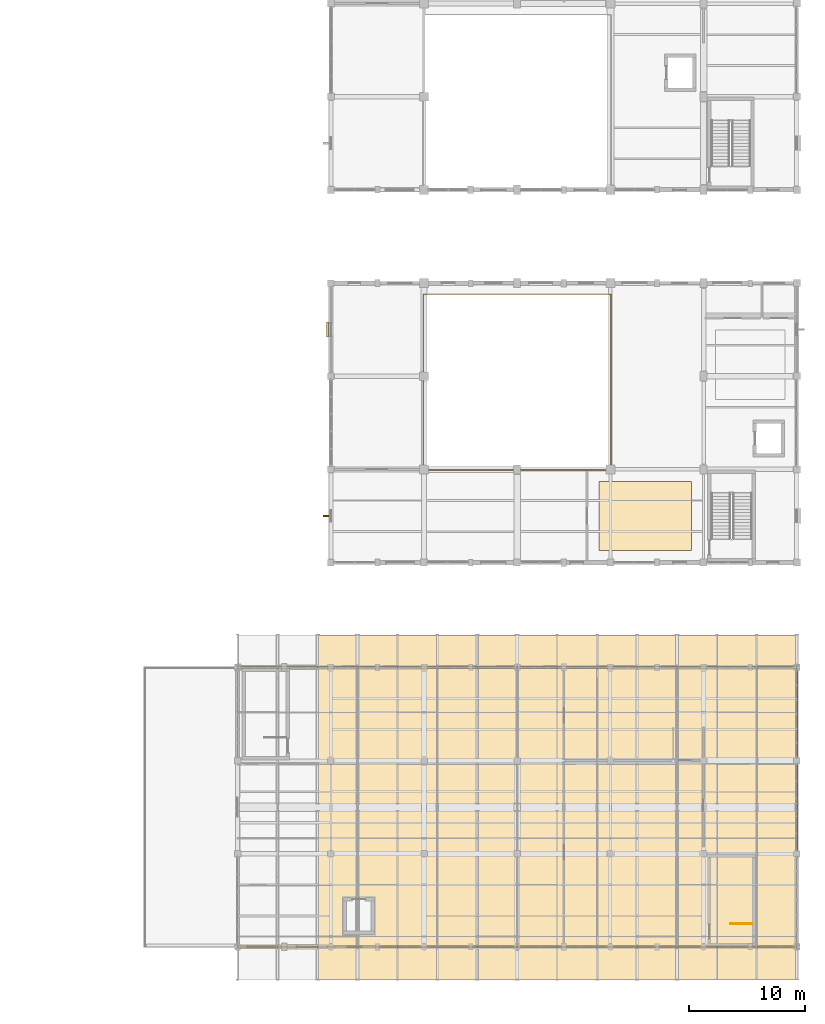
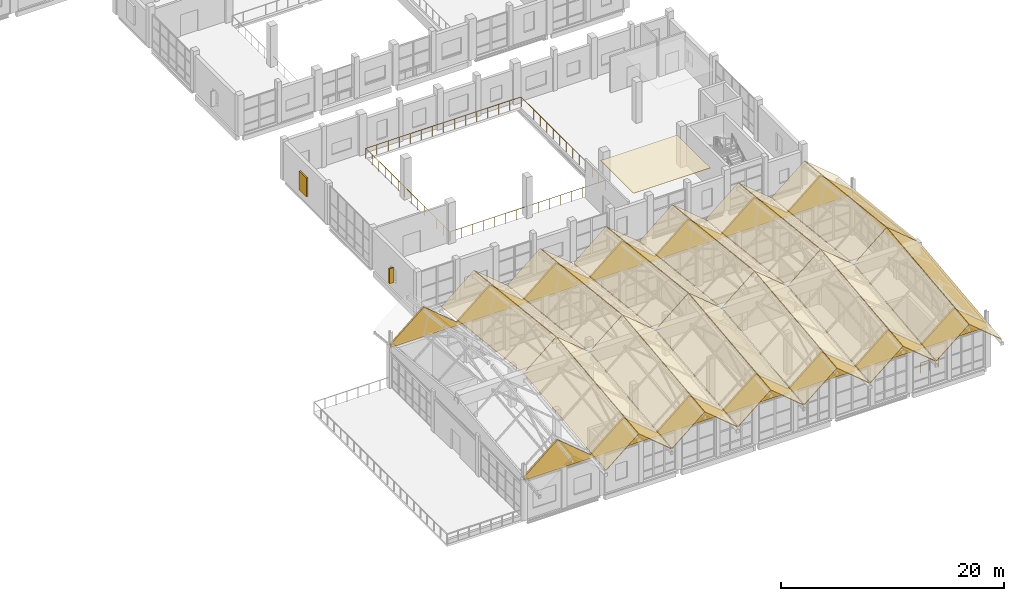
# One storey, part 178 of 183: 28 coverings, 2 railings, 2 shading devices.
"""IFC4 building model written with IfcOpenShell, lengths in metres."""

from ifc_helpers import new_model, si_unit, direction, frame, origin, origin_2d, place, context, subcontext, project, spatial, polyline, rectangle, circle, outline, extrude, material, layer, layer_set, type_object, element, save


model = new_model("IFC4")

# Units and contexts
model_context = context("Model", 3, precision=1e-05, world=origin(), true_north=direction((0.0, 1.0)))
body_context = subcontext(model_context, "Body", "Model", "MODEL_VIEW")
ifc_project = project(units=[si_unit("LENGTHUNIT", "METRE"), si_unit("AREAUNIT", "SQUARE_METRE"), si_unit("VOLUMEUNIT", "CUBIC_METRE"), si_unit("PLANEANGLEUNIT", "RADIAN"), si_unit("MASSUNIT", "GRAM", prefix="KILO")], contexts=[model_context])

# Site, building, storey
site_placement = place(None, origin())
site = spatial("IfcSite", under=ifc_project, at=site_placement, CompositionType="ELEMENT")
building_placement = place(site_placement, origin())
building = spatial("IfcBuilding", under=site, at=building_placement, Name="Luwemba Playhouse", CompositionType="ELEMENT")
storey_placement = place(building_placement, frame((0.0, 0.0, 4.800048828125)))
storey = spatial("IfcBuildingStorey", under=building, at=storey_placement, Name="L01", CompositionType="ELEMENT", Elevation=4.800048828125)

# Coverings
ifc_material_1 = material(Name="Perforated acoustic gypsum and timber baffle ceiling", Category="wood")
ifc_layer_1 = layer(ifc_material_1, 0.044921875)
ifc_layer_set_1 = layer_set([ifc_layer_1], Name="Perforated acoustic gypsum and timber baffle ceiling")
covering_type_1 = type_object("IfcCoveringType", Name="COV-CEIL-AC", PredefinedType="CEILING", material=ifc_layer_set_1)
covering_1_placement = place(storey_placement, frame((0.0, 0.0, 4.204833984375)))
element("IfcCovering", 1, at=covering_1_placement, inside=storey, type_object=covering_type_1, Name="L01 Voice and Dialect Coaching Studio acoustic ceiling cloud", PredefinedType="CEILING", context=body_context, shape_type="SweptSolid", body=[
    extrude(outline(polyline([(155.02001953125, 37.02001953125), (162.97998046875, 37.02001953125), (162.97998046875, 42.97998046875), (155.02001953125, 42.97998046875), (155.02001953125, 37.02001953125)])), origin(), (0.0, 0.0, 1.0), 0.045166015625),
])
ifc_material_2 = material(Name="Glazed terracotta clay roof tile", Category="masonry")
ifc_layer_2 = layer(ifc_material_2, 0.06494140625)
ifc_layer_set_2 = layer_set([ifc_layer_2], Name="Glazed terracotta clay roof tile")
covering_type_2 = type_object("IfcCoveringType", Name="COV-ROOF-TILE", PredefinedType="ROOFING", material=ifc_layer_set_2)
covering_2_placement = place(storey_placement, frame((130.882080078125, 0.199951171875, 4.633056640625), z_axis=(-0.637679853239, -0.085743284524, 0.765514528884), x_axis=(0.768344138036, 0.0, 0.640036940767)))
element("IfcCovering", 2, at=covering_2_placement, inside=storey, type_object=covering_type_2, Name="RF-V5E glazed clay-tile roofing 3S", PredefinedType="ROOFING", context=body_context, shape_type="SweptSolid", body=[
    extrude(outline(polyline([(0.0, 0.0), (4.397329194198291, 2.7755575615628914e-17), (5.458327931456052, 14.854754979386593), (1.060998737257761, 14.854754979386593), (0.0, 0.0)])), origin(), (0.0, 0.0, -1.0), 0.06494140625),
])
covering_3_placement = place(storey_placement, frame((130.882080078125, 15.0, 6.290771484375), z_axis=(-0.637679853239, 0.085743284524, 0.765514528884), x_axis=(0.768344138036, 0.0, 0.640036940767)))
element("IfcCovering", 3, at=covering_3_placement, inside=storey, type_object=covering_type_2, Name="RF-V5E glazed clay-tile roofing 3N", PredefinedType="ROOFING", context=body_context, shape_type="SweptSolid", body=[
    extrude(outline(polyline([(0.0, 0.0), (4.397329194198291, -2.7755575615628914e-17), (3.33633045694053, 14.854754979386593), (-1.060998737257761, 14.854754979386593), (0.0, 0.0)])), origin(), (0.0, 0.0, -1.0), 0.06494140625),
])
covering_4_placement = place(storey_placement, frame((134.310791015625, 0.199951171875, 7.447509765625), z_axis=(0.637707195329, -0.085740764941, 0.765492034088), x_axis=(0.768321392878, 0.0, -0.640064244624)))
element("IfcCovering", 4, at=covering_4_placement, inside=storey, type_object=covering_type_2, Name="RF-V5E glazed clay-tile roofing 4S", PredefinedType="ROOFING", context=body_context, shape_type="SweptSolid", body=[
    extrude(outline(polyline([(0.0, 0.0), (4.397141612956665, -2.7755575615628914e-17), (3.3360976136905323, 14.854751746484848), (-1.061043999266133, 14.854751746484848), (0.0, 0.0)])), origin(), (0.0, 0.0, -1.0), 0.06494140625),
])
covering_5_placement = place(storey_placement, frame((134.310791015625, 15.0, 9.105224609375), z_axis=(0.637707195329, 0.085740764941, 0.765492034088), x_axis=(0.768321392878, 0.0, -0.640064244624)))
element("IfcCovering", 5, at=covering_5_placement, inside=storey, type_object=covering_type_2, Name="RF-V5E glazed clay-tile roofing 4N", PredefinedType="ROOFING", context=body_context, shape_type="SweptSolid", body=[
    extrude(outline(polyline([(0.0, 0.0), (4.397141612956665, 2.7755575615628914e-17), (5.458185612222798, 14.854751746484848), (1.061043999266133, 14.854751746484848), (0.0, 0.0)])), origin(), (0.0, 0.0, -1.0), 0.06494140625),
])
covering_6_placement = place(storey_placement, frame((137.7392578125, 0.199951171875, 4.63330078125), z_axis=(-0.637663786826, -0.085738529141, 0.765528444665), x_axis=(0.768357890007, -1.822107e-06, 0.640020431597)))
element("IfcCovering", 6, at=covering_6_placement, inside=storey, type_object=covering_type_2, Name="RF-V5E glazed clay-tile roofing 5S", PredefinedType="ROOFING", context=body_context, shape_type="SweptSolid", body=[
    extrude(outline(polyline([(0.0, 0.0), (4.397172938187752, 0.0), (5.458117340676576, 14.854758859845834), (1.0607881475006415, 14.85474277609651), (0.0, 0.0)])), origin(), (0.0, 0.0, -1.0), 0.06494140625),
])
covering_7_placement = place(storey_placement, frame((137.7392578125, 15.0, 6.290771484375), z_axis=(-0.637663786826, 0.085738529141, 0.765528444665), x_axis=(0.768357689297, -1.822042e-06, 0.640020672553)))
element("IfcCovering", 7, at=covering_7_placement, inside=storey, type_object=covering_type_2, Name="RF-V5E glazed clay-tile roofing 5N", PredefinedType="ROOFING", context=body_context, shape_type="SweptSolid", body=[
    extrude(outline(polyline([(0.0, 0.0), (4.397329193205349, -2.7755575615628914e-17), (3.3363304576938924, 14.85475497921739), (-1.060842480464447, 14.854738896039587), (0.0, 0.0)])), origin(), (0.0, 0.0, -1.0), 0.06494140625),
])
covering_8_placement = place(storey_placement, frame((141.16796875, 0.199951171875, 7.447509765625), z_axis=(0.637675062127, -0.085731254495, 0.765519867243), x_axis=(0.768348697767, 0.0, -0.640031466914)))
element("IfcCovering", 8, at=covering_8_placement, inside=storey, type_object=covering_type_2, Name="RF-V5E glazed clay-tile roofing 6S", PredefinedType="ROOFING", context=body_context, shape_type="SweptSolid", body=[
    extrude(outline(polyline([(0.0, 0.0), (4.396985351273057, 2.7755575615628914e-17), (3.3361519457848576, 14.854739544414846), (-1.0608334054881996, 14.854739544414848), (0.0, 0.0)])), origin(), (0.0, 0.0, -1.0), 0.06494140625),
])
covering_9_placement = place(storey_placement, frame((141.16796875, 15.0, 9.10498046875), z_axis=(0.637675062127, 0.085731254495, 0.765519867243), x_axis=(0.768348697767, 0.0, -0.640031466914)))
element("IfcCovering", 9, at=covering_9_placement, inside=storey, type_object=covering_type_2, Name="RF-V5E glazed clay-tile roofing 6N", PredefinedType="ROOFING", context=body_context, shape_type="SweptSolid", body=[
    extrude(outline(polyline([(0.0, 0.0), (4.396985351273057, -2.7755575615628914e-17), (5.457818756761256, 14.854739544414848), (1.0608334054881996, 14.854739544414848), (0.0, 0.0)])), origin(), (0.0, 0.0, -1.0), 0.06494140625),
])
covering_10_placement = place(storey_placement, frame((144.596435546875, 0.199951171875, 4.633056640625), z_axis=(-0.637679853239, -0.085743284524, 0.765514528884), x_axis=(0.768344138036, 0.0, 0.640036940767)))
element("IfcCovering", 10, at=covering_10_placement, inside=storey, type_object=covering_type_2, Name="RF-V5E glazed clay-tile roofing 7S", PredefinedType="ROOFING", context=body_context, shape_type="SweptSolid", body=[
    extrude(outline(polyline([(0.0, 0.0), (4.397329194198291, 2.7755575615628914e-17), (5.458327931456052, 14.854754979386593), (1.060998737257761, 14.854754979386593), (0.0, 0.0)])), origin(), (0.0, 0.0, -1.0), 0.06494140625),
])
for number, where, z_axis, x_axis, name in (
    (11, (144.596435546875, 15.0, 6.290771484375), (-0.637679853239, 0.085743284524, 0.765514528884), (0.768344138036, 0.0, 0.640036940767), "RF-V5E glazed clay-tile roofing 7N"),
    (12, (148.02490234375, 0.199951171875, 7.447509765625), (0.637679853239, -0.085743284524, 0.765514528884), (0.768344138036, 0.0, -0.640036940767), "RF-V5E glazed clay-tile roofing 8S"),
):
    element("IfcCovering", number, at=place(storey_placement, frame(where, z_axis=z_axis, x_axis=x_axis)), inside=storey, type_object=covering_type_2, Name=name, PredefinedType="ROOFING", context=body_context, shape_type="SweptSolid", body=[
        extrude(outline(polyline([(0.0, 0.0), (4.397329194198291, -2.7755575615628914e-17), (3.33633045694053, 14.854754979386593), (-1.060998737257761, 14.854754979386593), (0.0, 0.0)])), origin(), (0.0, 0.0, -1.0), 0.06494140625),
    ])
covering_11_placement = place(storey_placement, frame((148.02490234375, 15.0, 9.105224609375), z_axis=(0.637679853239, 0.085743284524, 0.765514528884), x_axis=(0.768344138036, 0.0, -0.640036940767)))
element("IfcCovering", 13, at=covering_11_placement, inside=storey, type_object=covering_type_2, Name="RF-V5E glazed clay-tile roofing 8N", PredefinedType="ROOFING", context=body_context, shape_type="SweptSolid", body=[
    extrude(outline(polyline([(0.0, 0.0), (4.397329194198291, 2.7755575615628914e-17), (5.458327931456052, 14.854754979386593), (1.060998737257761, 14.854754979386593), (0.0, 0.0)])), origin(), (0.0, 0.0, -1.0), 0.06494140625),
])
covering_12_placement = place(storey_placement, frame((151.45361328125, 0.199951171875, 4.63330078125), z_axis=(-0.637675062127, -0.085731254495, 0.765519867243), x_axis=(0.768348697767, 0.0, 0.640031466914)))
element("IfcCovering", 14, at=covering_12_placement, inside=storey, type_object=covering_type_2, Name="RF-V5E glazed clay-tile roofing 9S", PredefinedType="ROOFING", context=body_context, shape_type="SweptSolid", body=[
    extrude(outline(polyline([(0.0, 0.0), (4.396985351273057, -2.7755575615628914e-17), (5.457818756761256, 14.854739544414848), (1.0608334054881996, 14.854739544414848), (0.0, 0.0)])), origin(), (0.0, 0.0, -1.0), 0.06494140625),
])
covering_13_placement = place(storey_placement, frame((151.45361328125, 15.0, 6.290771484375), z_axis=(-0.637675062127, 0.085731254495, 0.765519867243), x_axis=(0.768348697767, 0.0, 0.640031466914)))
element("IfcCovering", 15, at=covering_13_placement, inside=storey, type_object=covering_type_2, Name="RF-V5E glazed clay-tile roofing 9N", PredefinedType="ROOFING", context=body_context, shape_type="SweptSolid", body=[
    extrude(outline(polyline([(0.0, 0.0), (4.396985351273057, 2.7755575615628914e-17), (3.3361519457848576, 14.854739544414846), (-1.0608334054881996, 14.854739544414848), (0.0, 0.0)])), origin(), (0.0, 0.0, -1.0), 0.06494140625),
])
covering_14_placement = place(storey_placement, frame((154.882080078125, 0.199951171875, 7.447509765625), z_axis=(0.637663786826, -0.085738529141, 0.765528444665), x_axis=(0.768357890007, 1.822107e-06, -0.640020431597)))
element("IfcCovering", 16, at=covering_14_placement, inside=storey, type_object=covering_type_2, Name="RF-V5E glazed clay-tile roofing 10S", PredefinedType="ROOFING", context=body_context, shape_type="SweptSolid", body=[
    extrude(outline(polyline([(0.0, 0.0), (4.397172938187752, 0.0), (3.33638479068711, 14.85474277609651), (-1.0609444024888244, 14.854758859845834), (0.0, 0.0)])), origin(), (0.0, 0.0, -1.0), 0.06494140625),
])
covering_15_placement = place(storey_placement, frame((154.882080078125, 15.0, 9.105224609375), z_axis=(0.637663786826, 0.085738529141, 0.765528444665), x_axis=(0.768357689297, 1.822042e-06, -0.640020672553)))
element("IfcCovering", 17, at=covering_15_placement, inside=storey, type_object=covering_type_2, Name="RF-V5E glazed clay-tile roofing 10N", PredefinedType="ROOFING", context=body_context, shape_type="SweptSolid", body=[
    extrude(outline(polyline([(0.0, 0.0), (4.397329193205349, 2.7755575615628914e-17), (5.458171673669796, 14.854738896039587), (1.060998735511457, 14.85475497921739), (0.0, 0.0)])), origin(), (0.0, 0.0, -1.0), 0.06494140625),
])
covering_16_placement = place(storey_placement, frame((158.310791015625, 0.199951171875, 4.633056640625), z_axis=(-0.637707195329, -0.085740764941, 0.765492034088), x_axis=(0.768321392878, 0.0, 0.640064244624)))
element("IfcCovering", 18, at=covering_16_placement, inside=storey, type_object=covering_type_2, Name="RF-V5E glazed clay-tile roofing 11S", PredefinedType="ROOFING", context=body_context, shape_type="SweptSolid", body=[
    extrude(outline(polyline([(0.0, 0.0), (4.397141612956665, 2.7755575615628914e-17), (5.458185612222798, 14.854751746484848), (1.061043999266133, 14.854751746484848), (0.0, 0.0)])), origin(), (0.0, 0.0, -1.0), 0.06494140625),
])
covering_17_placement = place(storey_placement, frame((158.310791015625, 15.0, 6.290771484375), z_axis=(-0.637707195329, 0.085740764941, 0.765492034088), x_axis=(0.768321392878, 0.0, 0.640064244624)))
element("IfcCovering", 19, at=covering_17_placement, inside=storey, type_object=covering_type_2, Name="RF-V5E glazed clay-tile roofing 11N", PredefinedType="ROOFING", context=body_context, shape_type="SweptSolid", body=[
    extrude(outline(polyline([(0.0, 0.0), (4.397141612956665, -2.7755575615628914e-17), (3.3360976136905323, 14.854751746484848), (-1.061043999266133, 14.854751746484848), (0.0, 0.0)])), origin(), (0.0, 0.0, -1.0), 0.06494140625),
])
covering_18_placement = place(storey_placement, frame((161.7392578125, 0.199951171875, 7.447509765625), z_axis=(0.637679853239, -0.085743284524, 0.765514528884), x_axis=(0.768344138036, 0.0, -0.640036940767)))
element("IfcCovering", 20, at=covering_18_placement, inside=storey, type_object=covering_type_2, Name="RF-V5E glazed clay-tile roofing 12S", PredefinedType="ROOFING", context=body_context, shape_type="SweptSolid", body=[
    extrude(outline(polyline([(0.0, 0.0), (4.397329194198291, -2.7755575615628914e-17), (3.33633045694053, 14.854754979386593), (-1.060998737257761, 14.854754979386593), (0.0, 0.0)])), origin(), (0.0, 0.0, -1.0), 0.06494140625),
])
covering_19_placement = place(storey_placement, frame((161.7392578125, 15.0, 9.105224609375), z_axis=(0.637679853239, 0.085743284524, 0.765514528884), x_axis=(0.768344138036, 0.0, -0.640036940767)))
element("IfcCovering", 21, at=covering_19_placement, inside=storey, type_object=covering_type_2, Name="RF-V5E glazed clay-tile roofing 12N", PredefinedType="ROOFING", context=body_context, shape_type="SweptSolid", body=[
    extrude(outline(polyline([(0.0, 0.0), (4.397329194198291, 2.7755575615628914e-17), (5.458327931456052, 14.854754979386593), (1.060998737257761, 14.854754979386593), (0.0, 0.0)])), origin(), (0.0, 0.0, -1.0), 0.06494140625),
])
covering_20_placement = place(storey_placement, frame((165.16796875, 0.199951171875, 4.63330078125), z_axis=(-0.637675062127, -0.085731254495, 0.765519867243), x_axis=(0.768348697767, 0.0, 0.640031466914)))
element("IfcCovering", 22, at=covering_20_placement, inside=storey, type_object=covering_type_2, Name="RF-V5E glazed clay-tile roofing 13S", PredefinedType="ROOFING", context=body_context, shape_type="SweptSolid", body=[
    extrude(outline(polyline([(0.0, 0.0), (4.396985351273057, -2.7755575615628914e-17), (5.457818756761256, 14.854739544414848), (1.0608334054881996, 14.854739544414848), (0.0, 0.0)])), origin(), (0.0, 0.0, -1.0), 0.06494140625),
])
covering_21_placement = place(storey_placement, frame((165.16796875, 15.0, 6.290771484375), z_axis=(-0.637675062127, 0.085731254495, 0.765519867243), x_axis=(0.768348697767, 0.0, 0.640031466914)))
element("IfcCovering", 23, at=covering_21_placement, inside=storey, type_object=covering_type_2, Name="RF-V5E glazed clay-tile roofing 13N", PredefinedType="ROOFING", context=body_context, shape_type="SweptSolid", body=[
    extrude(outline(polyline([(0.0, 0.0), (4.396985351273057, 2.7755575615628914e-17), (3.3361519457848576, 14.854739544414846), (-1.0608334054881996, 14.854739544414848), (0.0, 0.0)])), origin(), (0.0, 0.0, -1.0), 0.06494140625),
])
covering_22_placement = place(storey_placement, frame((168.596435546875, 0.199951171875, 7.447509765625), z_axis=(0.637679853239, -0.085743284524, 0.765514528884), x_axis=(0.768344138036, 0.0, -0.640036940767)))
element("IfcCovering", 24, at=covering_22_placement, inside=storey, type_object=covering_type_2, Name="RF-V5E glazed clay-tile roofing 14S", PredefinedType="ROOFING", context=body_context, shape_type="SweptSolid", body=[
    extrude(outline(polyline([(0.0, 0.0), (4.397329194198291, -2.7755575615628914e-17), (3.33633045694053, 14.854754979386593), (-1.060998737257761, 14.854754979386593), (0.0, 0.0)])), origin(), (0.0, 0.0, -1.0), 0.06494140625),
])
covering_23_placement = place(storey_placement, frame((168.596435546875, 15.0, 9.105224609375), z_axis=(0.637679853239, 0.085743284524, 0.765514528884), x_axis=(0.768344138036, 0.0, -0.640036940767)))
element("IfcCovering", 25, at=covering_23_placement, inside=storey, type_object=covering_type_2, Name="RF-V5E glazed clay-tile roofing 14N", PredefinedType="ROOFING", context=body_context, shape_type="SweptSolid", body=[
    extrude(outline(polyline([(0.0, 0.0), (4.397329194198291, 2.7755575615628914e-17), (5.458327931456052, 14.854754979386593), (1.060998737257761, 14.854754979386593), (0.0, 0.0)])), origin(), (0.0, 0.0, -1.0), 0.06494140625),
])
ifc_material_3 = material(Name="Structural timber GL24h gable wall infill", Category="wood")
ifc_layer_3 = layer(ifc_material_3, 0.179931640625)
ifc_layer_set_3 = layer_set([ifc_layer_3], Name="Structural timber GL24h gable wall infill")
covering_type_3 = type_object("IfcCoveringType", Name="COV-TIM-TYMP", PredefinedType="CLADDING", material=ifc_layer_set_3)
for number, where, z_axis, x_axis, name in (
    (26, (172.0, 3.0, 4.320068359375), (0.0, 0.0, 1.0), (-1.0, 0.0, 0.0), "RF-V5E south pleated timber fold wall 024"),
    (27, (124.0, 27.0, 4.320068359375), (0.0, 0.0, 1.0), (1.0, 0.0, 0.0), "RF-V5E north pleated timber fold wall 025"),
):
    element("IfcCovering", number, at=place(storey_placement, frame(where, z_axis=z_axis, x_axis=x_axis)), inside=storey, type_object=covering_type_3, Name=name, PredefinedType="CLADDING", context=body_context, shape_type="SweptSolid", body=[
        extrude(outline(polyline([(0.0, 0.0), (48.0, 0.0), (48.0, 0.375), (44.5712890625, 3.23095703125), (41.142822265625, 0.375), (37.71435546875, 3.23095703125), (34.28564453125, 0.375), (30.857177734375, 3.23095703125), (27.4287109375, 0.375), (24.0, 3.23095703125), (20.5712890625, 0.375), (17.142822265625, 3.23095703125), (13.71435546875, 0.375), (10.28564453125, 3.23095703125), (6.857177734375, 0.375), (3.4287109375, 3.23095703125), (0.0, 0.375), (0.0, 0.0)])), frame((0.0, 0.08984375, 0.0), z_axis=(0.0, -1.0, 0.0), x_axis=(1.0, 0.0, 0.0)), (0.0, 0.0, 1.0), 0.179931640625),
    ])
covering_24_placement = place(storey_placement, frame((172.0, 27.0, 3.780029296875), z_axis=(0.0, 0.0, 1.0), x_axis=(0.0, -1.0, 0.0)))
element("IfcCovering", 28, at=covering_24_placement, inside=storey, type_object=covering_type_3, Name="RF-V5E east timber gable infill 027", PredefinedType="CLADDING", context=body_context, shape_type="SweptSolid", body=[
    extrude(outline(polyline([(0.0, 0.0), (24.0, 0.0), (24.0, 0.9150390625), (12.0, 2.259033203125), (0.0, 0.9150390625), (0.0, 0.0)])), frame((0.0, 0.08984375, 0.0), z_axis=(0.0, -1.0, 0.0), x_axis=(1.0, 0.0, 0.0)), (0.0, 0.0, 1.0), 0.179931640625),
])

# Railings
ifc_material_4 = material(Name="Painted wrought-iron gallery balustrade", Category="steel")
railing_type = type_object("IfcRailingType", Name="RLG-BAL-INT", PredefinedType="BALUSTRADE", material=ifc_material_4)
railing_1_placement = place(storey_placement, frame((168.14990234375, 4.989990234375, 0.0)))
element("IfcRailing", 29, at=railing_1_placement, inside=storey, type_object=railing_type, Name="L01 ST-05 top well guard 1", PredefinedType="BALUSTRADE", context=body_context, shape_type="SweptSolid", body=[
    extrude(circle(Radius=0.02392578125, at=origin_2d()), frame((0.0, 0.0, 1.09619140625), z_axis=(-1.0, 0.0, 0.0), x_axis=(0.0, -1.0, 0.0)), (0.0, 0.0, 1.0), 1.849853515625),
    extrude(circle(Radius=0.02099609375, at=origin_2d()), origin(), (0.0, 0.0, 1.0), 1.072021484375),
    extrude(circle(Radius=0.02099609375, at=origin_2d()), frame((-0.9248046875, 0.0, 0.0)), (0.0, 0.0, 1.0), 1.072021484375),
    extrude(circle(Radius=0.02099609375, at=origin_2d()), frame((-1.849853515625, 0.0, 0.0)), (0.0, 0.0, 1.0), 1.072021484375),
])
railing_2_placement = place(storey_placement, frame((140.02001953125, 43.949951171875, 0.0)))
element("IfcRailing", 30, at=railing_2_placement, inside=storey, type_object=railing_type, Name="L01 V3 gallery void balustrade 006", PredefinedType="BALUSTRADE", context=body_context, shape_type="SweptSolid", body=[
    extrude(circle(Radius=0.02392578125, at=origin_2d()), frame((0.0, 0.0, 1.09619140625), z_axis=(1.0, 0.0, 0.0), x_axis=(0.0, 1.0, 0.0)), (0.0, 0.0, 1.0), 16.030029296875),
    extrude(circle(Radius=0.02392578125, at=origin_2d()), frame((16.030029296875, 0.0, 1.09619140625), z_axis=(0.0, 1.0, 0.0), x_axis=(-1.0, 0.0, 0.0)), (0.0, 0.0, 1.0), 15.10009765625),
    extrude(circle(Radius=0.02392578125, at=origin_2d()), frame((16.030029296875, 15.10009765625, 1.09619140625), z_axis=(-1.0, 0.0, 0.0), x_axis=(0.0, -1.0, 0.0)), (0.0, 0.0, 1.0), 16.10009765625),
    extrude(circle(Radius=0.02392578125, at=origin_2d()), frame((-0.070068359375, 15.10009765625, 1.09619140625), z_axis=(0.0, -1.0, 0.0), x_axis=(1.0, 0.0, 0.0)), (0.0, 0.0, 1.0), 15.10009765625),
    extrude(circle(Radius=0.02099609375, at=origin_2d()), origin(), (0.0, 0.0, 1.0), 1.072021484375),
    extrude(circle(Radius=0.02099609375, at=origin_2d()), frame((1.14501953125, 0.0, 0.0)), (0.0, 0.0, 1.0), 1.072021484375),
    extrude(circle(Radius=0.02099609375, at=origin_2d()), frame((2.2900390625, 0.0, 0.0)), (0.0, 0.0, 1.0), 1.072021484375),
    extrude(circle(Radius=0.02099609375, at=origin_2d()), frame((3.43505859375, 0.0, 0.0)), (0.0, 0.0, 1.0), 1.072021484375),
    extrude(circle(Radius=0.02099609375, at=origin_2d()), frame((4.580078125, 0.0, 0.0)), (0.0, 0.0, 1.0), 1.072021484375),
    extrude(circle(Radius=0.02099609375, at=origin_2d()), frame((5.72509765625, 0.0, 0.0)), (0.0, 0.0, 1.0), 1.072021484375),
    extrude(circle(Radius=0.02099609375, at=origin_2d()), frame((6.8701171875, 0.0, 0.0)), (0.0, 0.0, 1.0), 1.072021484375),
    extrude(circle(Radius=0.02099609375, at=origin_2d()), frame((8.01513671875, 0.0, 0.0)), (0.0, 0.0, 1.0), 1.072021484375),
    extrude(circle(Radius=0.02099609375, at=origin_2d()), frame((9.159912109375, 0.0, 0.0)), (0.0, 0.0, 1.0), 1.072021484375),
    extrude(circle(Radius=0.02099609375, at=origin_2d()), frame((10.304931640625, 0.0, 0.0)), (0.0, 0.0, 1.0), 1.072021484375),
    extrude(circle(Radius=0.02099609375, at=origin_2d()), frame((11.449951171875, 0.0, 0.0)), (0.0, 0.0, 1.0), 1.072021484375),
    extrude(circle(Radius=0.02099609375, at=origin_2d()), frame((12.594970703125, 0.0, 0.0)), (0.0, 0.0, 1.0), 1.072021484375),
    extrude(circle(Radius=0.02099609375, at=origin_2d()), frame((13.739990234375, 0.0, 0.0)), (0.0, 0.0, 1.0), 1.072021484375),
    extrude(circle(Radius=0.02099609375, at=origin_2d()), frame((14.885009765625, 0.0, 0.0)), (0.0, 0.0, 1.0), 1.072021484375),
    extrude(circle(Radius=0.02099609375, at=origin_2d()), frame((16.030029296875, 0.0, 0.0)), (0.0, 0.0, 1.0), 1.072021484375),
    extrude(circle(Radius=0.02099609375, at=origin_2d()), frame((16.030029296875, 1.16162109375, 0.0)), (0.0, 0.0, 1.0), 1.072021484375),
    extrude(circle(Radius=0.02099609375, at=origin_2d()), frame((16.030029296875, 2.322998046875, 0.0)), (0.0, 0.0, 1.0), 1.072021484375),
    extrude(circle(Radius=0.02099609375, at=origin_2d()), frame((16.030029296875, 3.484619140625, 0.0)), (0.0, 0.0, 1.0), 1.072021484375),
    extrude(circle(Radius=0.02099609375, at=origin_2d()), frame((16.030029296875, 4.646240234375, 0.0)), (0.0, 0.0, 1.0), 1.072021484375),
    extrude(circle(Radius=0.02099609375, at=origin_2d()), frame((16.030029296875, 5.8076171875, 0.0)), (0.0, 0.0, 1.0), 1.072021484375),
    extrude(circle(Radius=0.02099609375, at=origin_2d()), frame((16.030029296875, 6.96923828125, 0.0)), (0.0, 0.0, 1.0), 1.072021484375),
    extrude(circle(Radius=0.02099609375, at=origin_2d()), frame((16.030029296875, 8.130859375, 0.0)), (0.0, 0.0, 1.0), 1.072021484375),
    extrude(circle(Radius=0.02099609375, at=origin_2d()), frame((16.030029296875, 9.29248046875, 0.0)), (0.0, 0.0, 1.0), 1.072021484375),
    extrude(circle(Radius=0.02099609375, at=origin_2d()), frame((16.030029296875, 10.453857421875, 0.0)), (0.0, 0.0, 1.0), 1.072021484375),
    extrude(circle(Radius=0.02099609375, at=origin_2d()), frame((16.030029296875, 11.615478515625, 0.0)), (0.0, 0.0, 1.0), 1.072021484375),
    extrude(circle(Radius=0.02099609375, at=origin_2d()), frame((16.030029296875, 12.777099609375, 0.0)), (0.0, 0.0, 1.0), 1.072021484375),
    extrude(circle(Radius=0.02099609375, at=origin_2d()), frame((16.030029296875, 13.9384765625, 0.0)), (0.0, 0.0, 1.0), 1.072021484375),
    extrude(circle(Radius=0.02099609375, at=origin_2d()), frame((16.030029296875, 15.10009765625, 0.0)), (0.0, 0.0, 1.0), 1.072021484375),
    extrude(circle(Radius=0.02099609375, at=origin_2d()), frame((14.880126953125, 15.10009765625, 0.0)), (0.0, 0.0, 1.0), 1.072021484375),
    extrude(circle(Radius=0.02099609375, at=origin_2d()), frame((13.72998046875, 15.10009765625, 0.0)), (0.0, 0.0, 1.0), 1.072021484375),
    extrude(circle(Radius=0.02099609375, at=origin_2d()), frame((12.580078125, 15.10009765625, 0.0)), (0.0, 0.0, 1.0), 1.072021484375),
    extrude(circle(Radius=0.02099609375, at=origin_2d()), frame((11.429931640625, 15.10009765625, 0.0)), (0.0, 0.0, 1.0), 1.072021484375),
    extrude(circle(Radius=0.02099609375, at=origin_2d()), frame((10.280029296875, 15.10009765625, 0.0)), (0.0, 0.0, 1.0), 1.072021484375),
    extrude(circle(Radius=0.02099609375, at=origin_2d()), frame((9.1298828125, 15.10009765625, 0.0)), (0.0, 0.0, 1.0), 1.072021484375),
    extrude(circle(Radius=0.02099609375, at=origin_2d()), frame((7.97998046875, 15.10009765625, 0.0)), (0.0, 0.0, 1.0), 1.072021484375),
    extrude(circle(Radius=0.02099609375, at=origin_2d()), frame((6.830078125, 15.10009765625, 0.0)), (0.0, 0.0, 1.0), 1.072021484375),
    extrude(circle(Radius=0.02099609375, at=origin_2d()), frame((5.679931640625, 15.10009765625, 0.0)), (0.0, 0.0, 1.0), 1.072021484375),
    extrude(circle(Radius=0.02099609375, at=origin_2d()), frame((4.530029296875, 15.10009765625, 0.0)), (0.0, 0.0, 1.0), 1.072021484375),
    extrude(circle(Radius=0.02099609375, at=origin_2d()), frame((3.3798828125, 15.10009765625, 0.0)), (0.0, 0.0, 1.0), 1.072021484375),
    extrude(circle(Radius=0.02099609375, at=origin_2d()), frame((2.22998046875, 15.10009765625, 0.0)), (0.0, 0.0, 1.0), 1.072021484375),
    extrude(circle(Radius=0.02099609375, at=origin_2d()), frame((1.079833984375, 15.10009765625, 0.0)), (0.0, 0.0, 1.0), 1.072021484375),
    extrude(circle(Radius=0.02099609375, at=origin_2d()), frame((-0.070068359375, 15.10009765625, 0.0)), (0.0, 0.0, 1.0), 1.072021484375),
    extrude(circle(Radius=0.02099609375, at=origin_2d()), frame((-0.070068359375, 13.9384765625, 0.0)), (0.0, 0.0, 1.0), 1.072021484375),
    extrude(circle(Radius=0.02099609375, at=origin_2d()), frame((-0.070068359375, 12.777099609375, 0.0)), (0.0, 0.0, 1.0), 1.072021484375),
    extrude(circle(Radius=0.02099609375, at=origin_2d()), frame((-0.070068359375, 11.615478515625, 0.0)), (0.0, 0.0, 1.0), 1.072021484375),
    extrude(circle(Radius=0.02099609375, at=origin_2d()), frame((-0.070068359375, 10.453857421875, 0.0)), (0.0, 0.0, 1.0), 1.072021484375),
    extrude(circle(Radius=0.02099609375, at=origin_2d()), frame((-0.070068359375, 9.29248046875, 0.0)), (0.0, 0.0, 1.0), 1.072021484375),
    extrude(circle(Radius=0.02099609375, at=origin_2d()), frame((-0.070068359375, 8.130859375, 0.0)), (0.0, 0.0, 1.0), 1.072021484375),
    extrude(circle(Radius=0.02099609375, at=origin_2d()), frame((-0.070068359375, 6.96923828125, 0.0)), (0.0, 0.0, 1.0), 1.072021484375),
    extrude(circle(Radius=0.02099609375, at=origin_2d()), frame((-0.070068359375, 5.8076171875, 0.0)), (0.0, 0.0, 1.0), 1.072021484375),
    extrude(circle(Radius=0.02099609375, at=origin_2d()), frame((-0.070068359375, 4.646240234375, 0.0)), (0.0, 0.0, 1.0), 1.072021484375),
    extrude(circle(Radius=0.02099609375, at=origin_2d()), frame((-0.070068359375, 3.484619140625, 0.0)), (0.0, 0.0, 1.0), 1.072021484375),
    extrude(circle(Radius=0.02099609375, at=origin_2d()), frame((-0.070068359375, 2.322998046875, 0.0)), (0.0, 0.0, 1.0), 1.072021484375),
    extrude(circle(Radius=0.02099609375, at=origin_2d()), frame((-0.070068359375, 1.16162109375, 0.0)), (0.0, 0.0, 1.0), 1.072021484375),
    extrude(circle(Radius=0.02099609375, at=origin_2d()), frame((-0.070068359375, 0.0, 0.0)), (0.0, 0.0, 1.0), 1.072021484375),
])

# Shading devices
ifc_material_5 = material(Name="Extruded terracotta brise-soleil fin on steel bracket", Category="masonry")
shading_device_type_1 = type_object("IfcShadingDeviceType", Name="SHD-BRISE", PredefinedType="USERDEFINED", material=ifc_material_5)
shading_device_1_placement = place(storey_placement, frame((131.590087890625, 40.0, 0.824951171875), z_axis=(0.0, 0.0, 1.0), x_axis=(0.0, 1.0, 0.0)))
element("IfcShadingDevice", 31, at=shading_device_1_placement, inside=storey, type_object=shading_device_type_1, Name="L01 terracotta brise-soleil fin 023", ObjectType="TERRACOTTA BRISE SOLEIL", PredefinedType="USERDEFINED", context=body_context, shape_type="SweptSolid", body=[
    extrude(rectangle(XDim=0.139892578125, YDim=0.449951171875, at=origin_2d()), origin(), (0.0, 0.0, 1.0), 1.64990234375),
])
ifc_material_6 = material(Name="Kiln-fired terracotta gelosia louvre screen", Category="masonry")
shading_device_type_2 = type_object("IfcShadingDeviceType", Name="SHD-GELOSIA", PredefinedType="JALOUSIE", material=ifc_material_6)
shading_device_2_placement = place(storey_placement, frame((131.72509765625, 56.0, 0.9248046875), z_axis=(0.0, 0.0, 1.0), x_axis=(0.0, 1.0, 0.0)))
element("IfcShadingDevice", 32, at=shading_device_2_placement, inside=storey, type_object=shading_device_type_2, Name="L01 fired-clay gelosia screen 024", PredefinedType="JALOUSIE", context=body_context, shape_type="SweptSolid", body=[
    extrude(rectangle(XDim=1.300048828125, YDim=0.179931640625, at=origin_2d()), origin(), (0.0, 0.0, 1.0), 2.050048828125),
])

save(model, "model.ifc")
